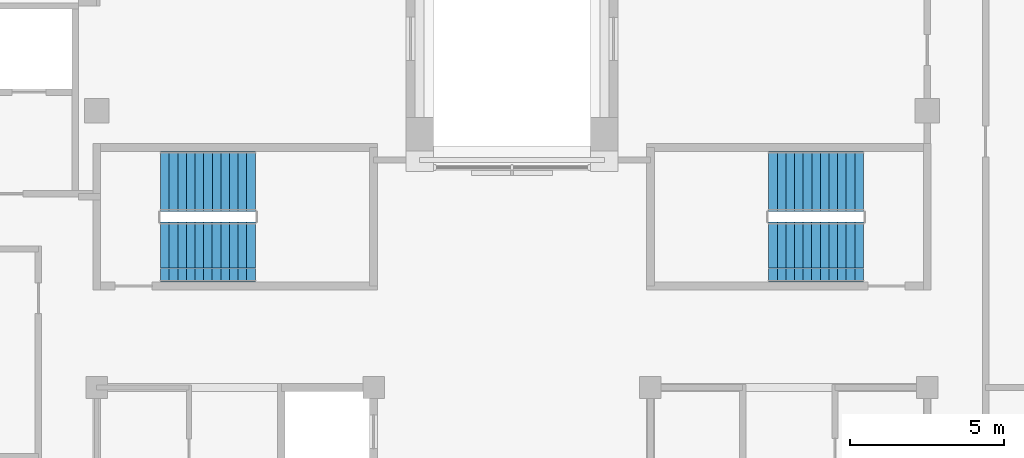
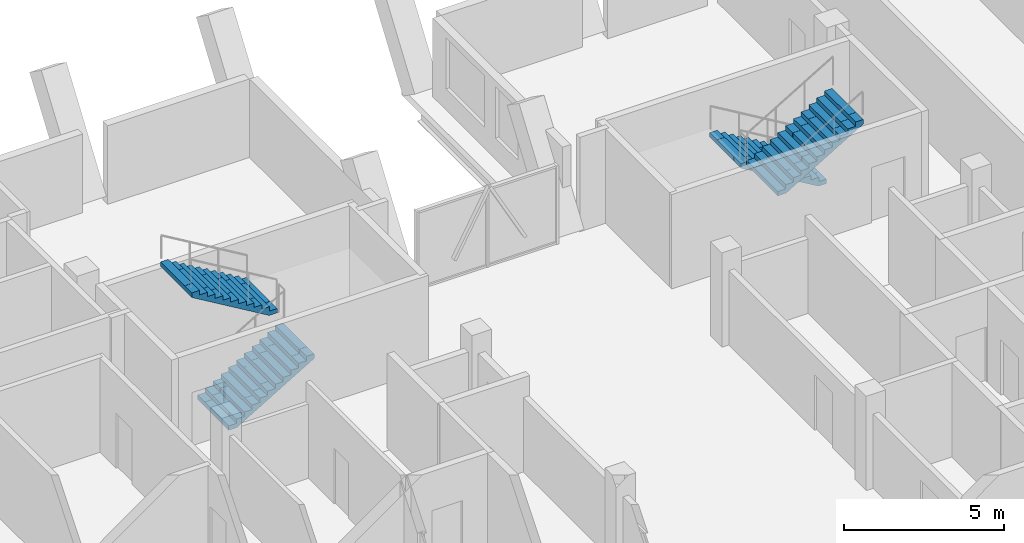
# One storey, part 12 of 13: 4 stair flights, 2 elements without a shape of their own.
"""IFC4 building model written with IfcOpenShell, lengths in metres."""

from ifc_helpers import new_model, si_unit, direction, frame, origin, place, context, subcontext, project, spatial, polyline, outline, extrude, material, type_object, element, aggregate, save


model = new_model("IFC4")

# Units and contexts
model_context = context("Model", 3, precision=1e-05, world=origin(), true_north=direction((0.0, 1.0)))
body_context = subcontext(model_context, "Body", "Model", "MODEL_VIEW")
ifc_project = project(units=[si_unit("LENGTHUNIT", "METRE"), si_unit("AREAUNIT", "SQUARE_METRE"), si_unit("VOLUMEUNIT", "CUBIC_METRE"), si_unit("PLANEANGLEUNIT", "RADIAN"), si_unit("MASSUNIT", "GRAM", prefix="KILO")], contexts=[model_context])

# Site, building, storey
site_placement = place(None, origin())
site = spatial("IfcSite", under=ifc_project, at=site_placement, CompositionType="ELEMENT")
building_placement = place(site_placement, origin())
building = spatial("IfcBuilding", under=site, at=building_placement, Name="Corbelhall Arena Tower", CompositionType="ELEMENT")
storey_placement = place(building_placement, frame((0.0, 0.0, 346.0)))
storey = spatial("IfcBuildingStorey", under=building, at=storey_placement, Name="L76", CompositionType="ELEMENT", Elevation=346.0)

# Stair, stair flights
ifc_material = material(Name="Concrete C40/50", Category="concrete")
stair_type = type_object("IfcStairType", Name="IN-ST-TOWER", PredefinedType="HALF_TURN_STAIR", material=ifc_material)
stair_1_placement = place(storey_placement, origin())
stair_1 = element("IfcStair", 1, at=stair_1_placement, inside=storey, type_object=stair_type, Name="L76 Exit stair ST1", PredefinedType="HALF_TURN_STAIR")
stair_flight_type = type_object("IfcStairFlightType", Name="IN-SFL-RC", PredefinedType="STRAIGHT", material=ifc_material)
stair_flight_1_placement = place(storey_placement, frame((-11.425048828125, 13.39990234375, 0.0), z_axis=(0.0, 0.0, 1.0), x_axis=(1.0, 0.0, 0.0)))
stair_flight_1 = element("IfcStairFlight", 2, at=stair_flight_1_placement, type_object=stair_flight_type, Name="ST1 flight 1", NumberOfRisers=12, NumberOfTreads=11, PredefinedType="STRAIGHT", RiserHeight=0.166666667, TreadLength=0.28, context=body_context, shape_type="SweptSolid", body=[
    extrude(outline(polyline([(0.0, 0.0), (0.0, 0.166748046875), (0.280029296875, 0.166748046875), (0.280029296875, 0.333251953125), (0.56005859375, 0.333251953125), (0.56005859375, 0.5), (0.840087890625, 0.5), (0.840087890625, 0.666748046875), (1.1201171875, 0.666748046875), (1.1201171875, 0.833251953125), (1.39990234375, 0.833251953125), (1.39990234375, 1.0), (1.679931640625, 1.0), (1.679931640625, 1.166748046875), (1.9599609375, 1.166748046875), (1.9599609375, 1.333251953125), (2.239990234375, 1.333251953125), (2.239990234375, 1.5), (2.52001953125, 1.5), (2.52001953125, 1.666748046875), (2.800048828125, 1.666748046875), (2.800048828125, 1.833251953125), (3.080078125, 1.833251953125), (3.080078125, 2.0), (3.080078125, 1.658935546875), (0.29296875, 0.0), (0.0, 0.0)])), frame((0.0, 0.97509765625, 0.0), z_axis=(0.0, -1.0, 0.0), x_axis=(1.0, 0.0, 0.0)), (0.0, 0.0, 1.0), 0.449951171875),
    extrude(outline(polyline([(0.0, 0.0), (0.0, 0.166748046875), (0.280029296875, 0.166748046875), (0.280029296875, 0.333251953125), (0.56005859375, 0.333251953125), (0.56005859375, 0.5), (0.840087890625, 0.5), (0.840087890625, 0.666748046875), (1.1201171875, 0.666748046875), (1.1201171875, 0.833251953125), (1.39990234375, 0.833251953125), (1.39990234375, 1.0), (1.679931640625, 1.0), (1.679931640625, 1.166748046875), (1.9599609375, 1.166748046875), (1.9599609375, 1.333251953125), (2.239990234375, 1.333251953125), (2.239990234375, 1.5), (2.52001953125, 1.5), (2.52001953125, 1.666748046875), (2.800048828125, 1.666748046875), (2.800048828125, 1.833251953125), (3.080078125, 1.833251953125), (3.080078125, 2.0), (3.080078125, 1.658935546875), (0.29296875, 0.0), (0.0, 0.0)])), frame((0.0, 0.52099609375, 0.0), z_axis=(0.0, -1.0, 0.0), x_axis=(1.0, 0.0, 0.0)), (0.0, 0.0, 1.0), 1.0419921875),
    extrude(outline(polyline([(0.0, 0.0), (0.0, 0.166748046875), (0.280029296875, 0.166748046875), (0.280029296875, 0.333251953125), (0.56005859375, 0.333251953125), (0.56005859375, 0.5), (0.840087890625, 0.5), (0.840087890625, 0.666748046875), (1.1201171875, 0.666748046875), (1.1201171875, 0.833251953125), (1.39990234375, 0.833251953125), (1.39990234375, 1.0), (1.679931640625, 1.0), (1.679931640625, 1.166748046875), (1.9599609375, 1.166748046875), (1.9599609375, 1.333251953125), (2.239990234375, 1.333251953125), (2.239990234375, 1.5), (2.52001953125, 1.5), (2.52001953125, 1.666748046875), (2.800048828125, 1.666748046875), (2.800048828125, 1.833251953125), (3.080078125, 1.833251953125), (3.080078125, 2.0), (3.080078125, 1.658935546875), (0.29296875, 0.0), (0.0, 0.0)])), frame((0.0, -0.52490234375, 0.0), z_axis=(0.0, -1.0, 0.0), x_axis=(1.0, 0.0, 0.0)), (0.0, 0.0, 1.0), 0.449951171875),
])
stair_flight_2_placement = place(storey_placement, frame((-8.344970703125, 15.699951171875, 2.0), z_axis=(0.0, 0.0, 1.0), x_axis=(-1.0, 0.0, 0.0)))
stair_flight_2 = element("IfcStairFlight", 3, at=stair_flight_2_placement, type_object=stair_flight_type, Name="ST1 flight 2", NumberOfRisers=12, NumberOfTreads=11, PredefinedType="STRAIGHT", RiserHeight=0.166666667, TreadLength=0.28, context=body_context, shape_type="SweptSolid", body=[
    extrude(outline(polyline([(0.0, 0.0), (0.0, 0.166748046875), (0.280029296875, 0.166748046875), (0.280029296875, 0.333251953125), (0.56005859375, 0.333251953125), (0.56005859375, 0.5), (0.840087890625, 0.5), (0.840087890625, 0.666748046875), (1.1201171875, 0.666748046875), (1.1201171875, 0.833251953125), (1.39990234375, 0.833251953125), (1.39990234375, 1.0), (1.679931640625, 1.0), (1.679931640625, 1.166748046875), (1.9599609375, 1.166748046875), (1.9599609375, 1.333251953125), (2.239990234375, 1.333251953125), (2.239990234375, 1.5), (2.52001953125, 1.5), (2.52001953125, 1.666748046875), (2.800048828125, 1.666748046875), (2.800048828125, 1.833251953125), (3.080078125, 1.833251953125), (3.080078125, 2.0), (3.080078125, 1.658935546875), (0.29296875, 0.0), (0.0, 0.0)])), frame((0.0, 0.97509765625, 0.0), z_axis=(0.0, -1.0, 0.0), x_axis=(1.0, 0.0, 0.0)), (0.0, 0.0, 1.0), 0.449951171875),
    extrude(outline(polyline([(0.0, 0.0), (0.0, 0.166748046875), (0.280029296875, 0.166748046875), (0.280029296875, 0.333251953125), (0.56005859375, 0.333251953125), (0.56005859375, 0.5), (0.840087890625, 0.5), (0.840087890625, 0.666748046875), (1.1201171875, 0.666748046875), (1.1201171875, 0.833251953125), (1.39990234375, 0.833251953125), (1.39990234375, 1.0), (1.679931640625, 1.0), (1.679931640625, 1.166748046875), (1.9599609375, 1.166748046875), (1.9599609375, 1.333251953125), (2.239990234375, 1.333251953125), (2.239990234375, 1.5), (2.52001953125, 1.5), (2.52001953125, 1.666748046875), (2.800048828125, 1.666748046875), (2.800048828125, 1.833251953125), (3.080078125, 1.833251953125), (3.080078125, 2.0), (3.080078125, 1.658935546875), (0.29296875, 0.0), (0.0, 0.0)])), frame((0.0, 0.52099609375, 0.0), z_axis=(0.0, -1.0, 0.0), x_axis=(1.0, 0.0, 0.0)), (0.0, 0.0, 1.0), 1.0419921875),
    extrude(outline(polyline([(0.0, 0.0), (0.0, 0.166748046875), (0.280029296875, 0.166748046875), (0.280029296875, 0.333251953125), (0.56005859375, 0.333251953125), (0.56005859375, 0.5), (0.840087890625, 0.5), (0.840087890625, 0.666748046875), (1.1201171875, 0.666748046875), (1.1201171875, 0.833251953125), (1.39990234375, 0.833251953125), (1.39990234375, 1.0), (1.679931640625, 1.0), (1.679931640625, 1.166748046875), (1.9599609375, 1.166748046875), (1.9599609375, 1.333251953125), (2.239990234375, 1.333251953125), (2.239990234375, 1.5), (2.52001953125, 1.5), (2.52001953125, 1.666748046875), (2.800048828125, 1.666748046875), (2.800048828125, 1.833251953125), (3.080078125, 1.833251953125), (3.080078125, 2.0), (3.080078125, 1.658935546875), (0.29296875, 0.0), (0.0, 0.0)])), frame((0.0, -0.52490234375, 0.0), z_axis=(0.0, -1.0, 0.0), x_axis=(1.0, 0.0, 0.0)), (0.0, 0.0, 1.0), 0.449951171875),
])
aggregate(stair_1, [stair_flight_1, stair_flight_2])

stair_2_placement = place(storey_placement, origin())
stair_2 = element("IfcStair", 4, at=stair_2_placement, inside=storey, type_object=stair_type, Name="L76 Exit stair ST3", PredefinedType="HALF_TURN_STAIR")
stair_flight_3_placement = place(storey_placement, frame((11.425048828125, 15.699951171875, 0.0), z_axis=(0.0, 0.0, 1.0), x_axis=(-1.0, 0.0, 0.0)))
stair_flight_3 = element("IfcStairFlight", 5, at=stair_flight_3_placement, type_object=stair_flight_type, Name="ST3 flight 1", NumberOfRisers=12, NumberOfTreads=11, PredefinedType="STRAIGHT", RiserHeight=0.166666667, TreadLength=0.28, context=body_context, shape_type="SweptSolid", body=[
    extrude(outline(polyline([(0.0, 0.0), (0.0, 0.166748046875), (0.280029296875, 0.166748046875), (0.280029296875, 0.333251953125), (0.56005859375, 0.333251953125), (0.56005859375, 0.5), (0.840087890625, 0.5), (0.840087890625, 0.666748046875), (1.1201171875, 0.666748046875), (1.1201171875, 0.833251953125), (1.39990234375, 0.833251953125), (1.39990234375, 1.0), (1.679931640625, 1.0), (1.679931640625, 1.166748046875), (1.9599609375, 1.166748046875), (1.9599609375, 1.333251953125), (2.239990234375, 1.333251953125), (2.239990234375, 1.5), (2.52001953125, 1.5), (2.52001953125, 1.666748046875), (2.800048828125, 1.666748046875), (2.800048828125, 1.833251953125), (3.080078125, 1.833251953125), (3.080078125, 2.0), (3.080078125, 1.658935546875), (0.29296875, 0.0), (0.0, 0.0)])), frame((0.0, 0.97509765625, 0.0), z_axis=(0.0, -1.0, 0.0), x_axis=(1.0, 0.0, 0.0)), (0.0, 0.0, 1.0), 0.449951171875),
    extrude(outline(polyline([(0.0, 0.0), (0.0, 0.166748046875), (0.280029296875, 0.166748046875), (0.280029296875, 0.333251953125), (0.56005859375, 0.333251953125), (0.56005859375, 0.5), (0.840087890625, 0.5), (0.840087890625, 0.666748046875), (1.1201171875, 0.666748046875), (1.1201171875, 0.833251953125), (1.39990234375, 0.833251953125), (1.39990234375, 1.0), (1.679931640625, 1.0), (1.679931640625, 1.166748046875), (1.9599609375, 1.166748046875), (1.9599609375, 1.333251953125), (2.239990234375, 1.333251953125), (2.239990234375, 1.5), (2.52001953125, 1.5), (2.52001953125, 1.666748046875), (2.800048828125, 1.666748046875), (2.800048828125, 1.833251953125), (3.080078125, 1.833251953125), (3.080078125, 2.0), (3.080078125, 1.658935546875), (0.29296875, 0.0), (0.0, 0.0)])), frame((0.0, 0.52099609375, 0.0), z_axis=(0.0, -1.0, 0.0), x_axis=(1.0, 0.0, 0.0)), (0.0, 0.0, 1.0), 1.0419921875),
    extrude(outline(polyline([(0.0, 0.0), (0.0, 0.166748046875), (0.280029296875, 0.166748046875), (0.280029296875, 0.333251953125), (0.56005859375, 0.333251953125), (0.56005859375, 0.5), (0.840087890625, 0.5), (0.840087890625, 0.666748046875), (1.1201171875, 0.666748046875), (1.1201171875, 0.833251953125), (1.39990234375, 0.833251953125), (1.39990234375, 1.0), (1.679931640625, 1.0), (1.679931640625, 1.166748046875), (1.9599609375, 1.166748046875), (1.9599609375, 1.333251953125), (2.239990234375, 1.333251953125), (2.239990234375, 1.5), (2.52001953125, 1.5), (2.52001953125, 1.666748046875), (2.800048828125, 1.666748046875), (2.800048828125, 1.833251953125), (3.080078125, 1.833251953125), (3.080078125, 2.0), (3.080078125, 1.658935546875), (0.29296875, 0.0), (0.0, 0.0)])), frame((0.0, -0.52490234375, 0.0), z_axis=(0.0, -1.0, 0.0), x_axis=(1.0, 0.0, 0.0)), (0.0, 0.0, 1.0), 0.449951171875),
])
stair_flight_4_placement = place(storey_placement, frame((8.344970703125, 13.39990234375, 2.0), z_axis=(0.0, 0.0, 1.0), x_axis=(1.0, 0.0, 0.0)))
stair_flight_4 = element("IfcStairFlight", 6, at=stair_flight_4_placement, type_object=stair_flight_type, Name="ST3 flight 2", NumberOfRisers=12, NumberOfTreads=11, PredefinedType="STRAIGHT", RiserHeight=0.166666667, TreadLength=0.28, context=body_context, shape_type="SweptSolid", body=[
    extrude(outline(polyline([(0.0, 0.0), (0.0, 0.166748046875), (0.280029296875, 0.166748046875), (0.280029296875, 0.333251953125), (0.56005859375, 0.333251953125), (0.56005859375, 0.5), (0.840087890625, 0.5), (0.840087890625, 0.666748046875), (1.1201171875, 0.666748046875), (1.1201171875, 0.833251953125), (1.39990234375, 0.833251953125), (1.39990234375, 1.0), (1.679931640625, 1.0), (1.679931640625, 1.166748046875), (1.9599609375, 1.166748046875), (1.9599609375, 1.333251953125), (2.239990234375, 1.333251953125), (2.239990234375, 1.5), (2.52001953125, 1.5), (2.52001953125, 1.666748046875), (2.800048828125, 1.666748046875), (2.800048828125, 1.833251953125), (3.080078125, 1.833251953125), (3.080078125, 2.0), (3.080078125, 1.658935546875), (0.29296875, 0.0), (0.0, 0.0)])), frame((0.0, 0.97509765625, 0.0), z_axis=(0.0, -1.0, 0.0), x_axis=(1.0, 0.0, 0.0)), (0.0, 0.0, 1.0), 0.449951171875),
    extrude(outline(polyline([(0.0, 0.0), (0.0, 0.166748046875), (0.280029296875, 0.166748046875), (0.280029296875, 0.333251953125), (0.56005859375, 0.333251953125), (0.56005859375, 0.5), (0.840087890625, 0.5), (0.840087890625, 0.666748046875), (1.1201171875, 0.666748046875), (1.1201171875, 0.833251953125), (1.39990234375, 0.833251953125), (1.39990234375, 1.0), (1.679931640625, 1.0), (1.679931640625, 1.166748046875), (1.9599609375, 1.166748046875), (1.9599609375, 1.333251953125), (2.239990234375, 1.333251953125), (2.239990234375, 1.5), (2.52001953125, 1.5), (2.52001953125, 1.666748046875), (2.800048828125, 1.666748046875), (2.800048828125, 1.833251953125), (3.080078125, 1.833251953125), (3.080078125, 2.0), (3.080078125, 1.658935546875), (0.29296875, 0.0), (0.0, 0.0)])), frame((0.0, 0.52099609375, 0.0), z_axis=(0.0, -1.0, 0.0), x_axis=(1.0, 0.0, 0.0)), (0.0, 0.0, 1.0), 1.0419921875),
    extrude(outline(polyline([(0.0, 0.0), (0.0, 0.166748046875), (0.280029296875, 0.166748046875), (0.280029296875, 0.333251953125), (0.56005859375, 0.333251953125), (0.56005859375, 0.5), (0.840087890625, 0.5), (0.840087890625, 0.666748046875), (1.1201171875, 0.666748046875), (1.1201171875, 0.833251953125), (1.39990234375, 0.833251953125), (1.39990234375, 1.0), (1.679931640625, 1.0), (1.679931640625, 1.166748046875), (1.9599609375, 1.166748046875), (1.9599609375, 1.333251953125), (2.239990234375, 1.333251953125), (2.239990234375, 1.5), (2.52001953125, 1.5), (2.52001953125, 1.666748046875), (2.800048828125, 1.666748046875), (2.800048828125, 1.833251953125), (3.080078125, 1.833251953125), (3.080078125, 2.0), (3.080078125, 1.658935546875), (0.29296875, 0.0), (0.0, 0.0)])), frame((0.0, -0.52490234375, 0.0), z_axis=(0.0, -1.0, 0.0), x_axis=(1.0, 0.0, 0.0)), (0.0, 0.0, 1.0), 0.449951171875),
])
aggregate(stair_2, [stair_flight_3, stair_flight_4])

save(model, "model.ifc")
